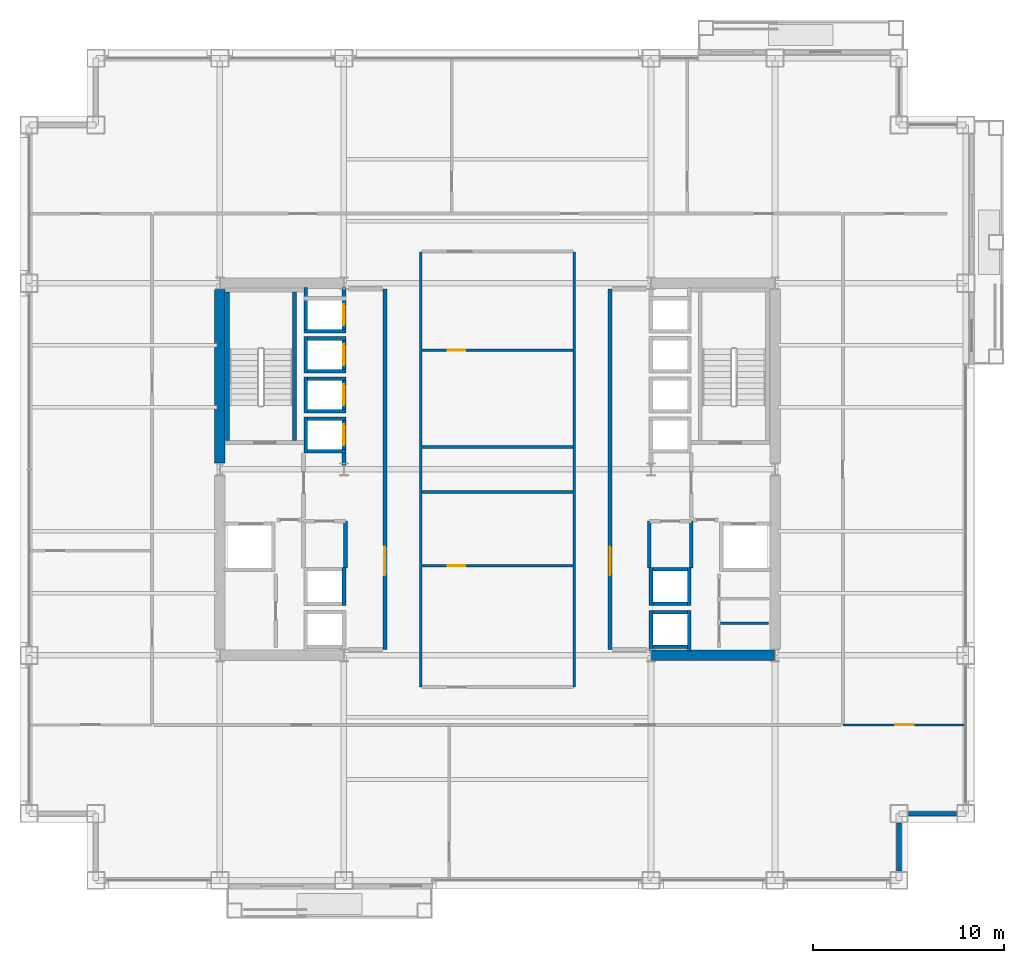
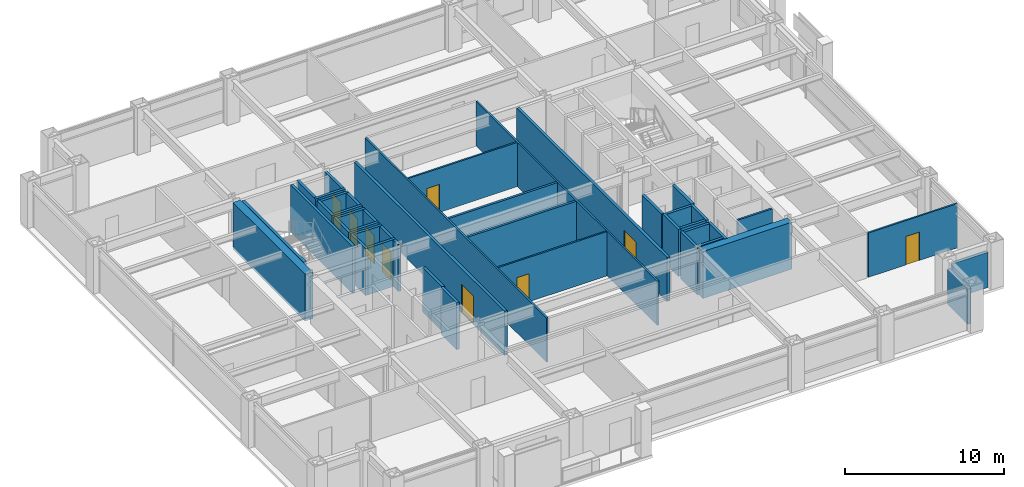
# One storey, part 26 of 31: 43 walls, 9 doors, 9 openings.
"""IFC4 building model written with IfcOpenShell, lengths in metres."""

from ifc_helpers import new_model, si_unit, direction, frame, frame_2d, origin, place, context, subcontext, project, spatial, rectangle, extrude, material, layer, layer_set, type_object, element, fill, save


model = new_model("IFC4")

# Units and contexts
model_context = context("Model", 3, precision=1e-05, world=origin(), true_north=direction((0.0, 1.0)))
body_context = subcontext(model_context, "Body", "Model", "MODEL_VIEW")
ifc_project = project(units=[si_unit("LENGTHUNIT", "METRE"), si_unit("AREAUNIT", "SQUARE_METRE"), si_unit("VOLUMEUNIT", "CUBIC_METRE"), si_unit("PLANEANGLEUNIT", "RADIAN"), si_unit("MASSUNIT", "GRAM", prefix="KILO")], contexts=[model_context])

# Site, building, storey
site_placement = place(None, origin())
site = spatial("IfcSite", under=ifc_project, at=site_placement, CompositionType="ELEMENT")
building_placement = place(site_placement, origin())
building = spatial("IfcBuilding", under=site, at=building_placement, Name="Brelmoor Portico Tower", CompositionType="ELEMENT")
storey_placement = place(building_placement, frame((0.0, 0.0, 38.39990234375)))
storey = spatial("IfcBuildingStorey", under=building, at=storey_placement, Name="L09", CompositionType="ELEMENT", Elevation=38.39990234375)

# Walls
ifc_material_1 = material(Name="Concrete C60", Category="concrete")
ifc_layer_1 = layer(ifc_material_1, 0.550048828125)
ifc_layer_set_1 = layer_set([ifc_layer_1], Name="Concrete C60")
wall_type_1 = type_object("IfcWallType", Name="WL-CORE-550", PredefinedType="SHEAR", material=ifc_layer_set_1)
wall_1_placement = place(storey_placement, frame((-14.550048828125, 0.324951171875, -0.199951171875), z_axis=(0.0, 0.0, 1.0), x_axis=(0.0, 1.0, 0.0)))
element("IfcWall", 1, at=wall_1_placement, inside=storey, type_object=wall_type_1, Name="L09 WC Outer North Shear Wall", PredefinedType="SHEAR", context=body_context, shape_type="SweptSolid", body=[
    extrude(rectangle(XDim=9.10009765625, YDim=0.550048828125, at=frame_2d((4.550048828125, 0.0))), origin(), (0.0, 0.0, 1.0), 3.60009765625),
])
wall_2_placement = place(storey_placement, frame((8.070068359375, -9.75, -0.199951171875), z_axis=(0.0, 0.0, 1.0), x_axis=(1.0, 0.0, 0.0)))
element("IfcWall", 2, at=wall_2_placement, inside=storey, type_object=wall_type_1, Name="L09 EC South Shear Wall", PredefinedType="SHEAR", context=body_context, shape_type="SweptSolid", body=[
    extrude(rectangle(XDim=6.4599609375, YDim=0.550048828125, at=frame_2d((3.22998046875, 0.0))), origin(), (0.0, 0.0, 1.0), 3.60009765625),
])
ifc_material_2 = material(Name="Precast Concrete C40 Insulated Facade Wall", Category="concrete")
ifc_layer_2 = layer(ifc_material_2, 0.25)
ifc_layer_set_2 = layer_set([ifc_layer_2], Name="Precast Concrete C40 Insulated Facade Wall")
wall_type_2 = type_object("IfcWallType", Name="WL-EXT-250", PredefinedType="STANDARD", material=ifc_layer_set_2)
for number, where, z_axis, x_axis, name in (
    (3, (21.534912109375, -18.050048828125, 0.0), (0.0, 0.0, 1.0), (1.0, 0.0, 0.0), "L09 Corner Notch Facade Wall NSEH1"),
    (4, (21.050048828125, -21.06494140625, 0.0), (0.0, 0.0, 1.0), (0.0, 1.0, 0.0), "L09 Corner Notch Facade Wall NSEV1"),
):
    element("IfcWall", number, at=place(storey_placement, frame(where, z_axis=z_axis, x_axis=x_axis)), inside=storey, type_object=wall_type_2, Name=name, PredefinedType="STANDARD", context=body_context, shape_type="SweptSolid", body=[
        extrude(rectangle(XDim=2.530029296875, YDim=0.25, at=frame_2d((1.26513671875, 0.0))), origin(), (0.0, 0.0, 1.0), 2.7001953125),
    ])
ifc_material_3 = material(Name="Lightweight Gypsum Office Partition", Category="gypsum")
ifc_layer_3 = layer(ifc_material_3, 0.1201171875)
ifc_layer_set_3 = layer_set([ifc_layer_3], Name="Lightweight Gypsum Office Partition")
wall_type_3 = type_object("IfcWallType", Name="WL-PART-120", PredefinedType="PARTITIONING", material=ifc_layer_set_3)
for number, where, z_axis, x_axis, name in (
    (5, (-4.02001953125, -11.39990234375, 0.0), (0.0, 0.0, 1.0), (0.0, 1.0, 0.0), "L09 Central Suite West Wall"),
    (6, (4.02001953125, -11.39990234375, 0.0), (0.0, 0.0, 1.0), (0.0, 1.0, 0.0), "L09 Central Suite East Wall"),
):
    element("IfcWall", number, at=place(storey_placement, frame(where, z_axis=z_axis, x_axis=x_axis)), inside=storey, type_object=wall_type_3, Name=name, PredefinedType="PARTITIONING", context=body_context, shape_type="SweptSolid", body=[
        extrude(rectangle(XDim=22.7998046875, YDim=0.1201171875, at=frame_2d((11.39990234375, 0.0))), origin(), (0.0, 0.0, 1.0), 3.400146484375),
    ])

# Wall, opening, door
wall_3_placement = place(storey_placement, frame((-3.949951171875, 6.239990234375, 0.0), z_axis=(0.0, 0.0, 1.0), x_axis=(1.0, 0.0, 0.0)))
wall_3 = element("IfcWall", 7, at=wall_3_placement, inside=storey, type_object=wall_type_3, Name="L09 Central Archive Divider", PredefinedType="PARTITIONING", context=body_context, shape_type="SweptSolid", body=[
    extrude(rectangle(XDim=7.89990234375, YDim=0.1201171875, at=frame_2d((3.949951171875, 0.0))), origin(), (0.0, 0.0, 1.0), 3.400146484375),
])
opening_1_placement = place(wall_3_placement, frame((1.35009765625, 0.0, 0.0)))
opening_1 = element("IfcOpeningElement", 8, at=opening_1_placement, cuts=wall_3, Name="Opening D-IN1", PredefinedType="OPENING", context=body_context, shape_type="SweptSolid", body=[
    extrude(rectangle(XDim=0.89990234375, YDim=2.14990234375, at=frame_2d((0.449951171875, 1.074951171875))), frame((0.0, 0.070068359375, 0.0), z_axis=(0.0, -1.0, 0.0), x_axis=(1.0, 0.0, 0.0)), (0.0, 0.0, 1.0), 0.14013671875),
])
ifc_material_4 = material(Name="Lacquered Timber Suite Door", Category="wood")
door_type_1 = type_object("IfcDoorType", Name="DR-INT-900", OperationType="NOTDEFINED", PredefinedType="DOOR", material=ifc_material_4)
door_1_placement = place(opening_1_placement, origin())
door_1 = element("IfcDoor", 9, at=door_1_placement, inside=storey, type_object=door_type_1, Name="D-0392 L09 Central File Room Door", OperationType="SINGLE_SWING_RIGHT", OverallHeight=2.14990234375, OverallWidth=0.89990234375, PredefinedType="DOOR", context=body_context, shape_type="SweptSolid", body=[
    extrude(rectangle(XDim=0.89990234375, YDim=2.14990234375, at=frame_2d((0.449951171875, 1.074951171875))), frame((0.0, 0.02490234375, 0.0), z_axis=(0.0, -1.0, 0.0), x_axis=(1.0, 0.0, 0.0)), (0.0, 0.0, 1.0), 0.050048828125),
])
fill(opening_1, door_1)

wall_4_placement = place(storey_placement, frame((-3.949951171875, -5.050048828125, 0.0), z_axis=(0.0, 0.0, 1.0), x_axis=(1.0, 0.0, 0.0)))
wall_4 = element("IfcWall", 10, at=wall_4_placement, inside=storey, type_object=wall_type_3, Name="L09 Central Print Divider", PredefinedType="PARTITIONING", context=body_context, shape_type="SweptSolid", body=[
    extrude(rectangle(XDim=7.89990234375, YDim=0.1201171875, at=frame_2d((3.949951171875, 0.0))), origin(), (0.0, 0.0, 1.0), 3.400146484375),
])
opening_2_placement = place(wall_4_placement, frame((1.35009765625, 0.0, 0.0)))
opening_2 = element("IfcOpeningElement", 11, at=opening_2_placement, cuts=wall_4, Name="Opening D-IN1", PredefinedType="OPENING", context=body_context, shape_type="SweptSolid", body=[
    extrude(rectangle(XDim=0.89990234375, YDim=2.14990234375, at=frame_2d((0.449951171875, 1.074951171875))), frame((0.0, 0.070068359375, 0.0), z_axis=(0.0, -1.0, 0.0), x_axis=(1.0, 0.0, 0.0)), (0.0, 0.0, 1.0), 0.14013671875),
])
door_2_placement = place(opening_2_placement, origin())
door_2 = element("IfcDoor", 12, at=door_2_placement, inside=storey, type_object=door_type_1, Name="D-0394 L09 Central Print Studio Door", OperationType="SINGLE_SWING_LEFT", OverallHeight=2.14990234375, OverallWidth=0.89990234375, PredefinedType="DOOR", context=body_context, shape_type="SweptSolid", body=[
    extrude(rectangle(XDim=0.89990234375, YDim=2.14990234375, at=frame_2d((0.449951171875, 1.074951171875))), frame((0.0, 0.02490234375, 0.0), z_axis=(0.0, -1.0, 0.0), x_axis=(1.0, 0.0, 0.0)), (0.0, 0.0, 1.0), 0.050048828125),
])
fill(opening_2, door_2)

wall_5_placement = place(storey_placement, frame((18.10009765625, -13.39990234375, 0.0), z_axis=(0.0, 0.0, 1.0), x_axis=(1.0, 0.0, 0.0)))
wall_5 = element("IfcWall", 13, at=wall_5_placement, inside=storey, type_object=wall_type_3, Name="L09 South Outer Closure ER", PredefinedType="PARTITIONING", context=body_context, shape_type="SweptSolid", body=[
    extrude(rectangle(XDim=6.4599609375, YDim=0.1201171875, at=frame_2d((3.22998046875, 0.0))), origin(), (0.0, 0.0, 1.0), 3.400146484375),
])
opening_3_placement = place(wall_5_placement, frame((2.75, 0.0, 0.0)))
opening_3 = element("IfcOpeningElement", 14, at=opening_3_placement, cuts=wall_5, Name="Opening D-IN2", PredefinedType="OPENING", context=body_context, shape_type="SweptSolid", body=[
    extrude(rectangle(XDim=0.9599609375, YDim=2.179931640625, at=frame_2d((0.47998046875, 1.08984375))), frame((0.0, 0.070068359375, 0.0), z_axis=(0.0, -1.0, 0.0), x_axis=(1.0, 0.0, 0.0)), (0.0, 0.0, 1.0), 0.14013671875),
])
door_type_2 = type_object("IfcDoorType", Name="DR-INT-950", OperationType="NOTDEFINED", PredefinedType="DOOR", material=ifc_material_4)
door_3_placement = place(opening_3_placement, origin())
door_3 = element("IfcDoor", 15, at=door_3_placement, inside=storey, type_object=door_type_2, Name="D-0419 L09 ER South Corner Suite Door", OperationType="SINGLE_SWING_RIGHT", OverallHeight=2.179931640625, OverallWidth=0.9599609375, PredefinedType="DOOR", context=body_context, shape_type="SweptSolid", body=[
    extrude(rectangle(XDim=0.9599609375, YDim=2.179931640625, at=frame_2d((0.47998046875, 1.08984375))), frame((0.0, 0.02490234375, 0.0), z_axis=(0.0, -1.0, 0.0), x_axis=(1.0, 0.0, 0.0)), (0.0, 0.0, 1.0), 0.050048828125),
])
fill(opening_3, door_3)

# Walls
ifc_material_5 = material(Name="Insulated Stud Suite Partition", Category="gypsum")
ifc_layer_4 = layer(ifc_material_5, 0.139892578125)
ifc_layer_set_4 = layer_set([ifc_layer_4], Name="Insulated Stud Suite Partition")
wall_type_4 = type_object("IfcWallType", Name="WL-PART-140", PredefinedType="PARTITIONING", material=ifc_layer_set_4)
wall_6_placement = place(storey_placement, frame((11.699951171875, -8.066650390625, 0.0), z_axis=(0.0, 0.0, 1.0), x_axis=(1.0, 0.0, 0.0)))
element("IfcWall", 16, at=wall_6_placement, inside=storey, type_object=wall_type_4, Name="L09 E Core WC Divider 1", PredefinedType="PARTITIONING", context=body_context, shape_type="SweptSolid", body=[
    extrude(rectangle(XDim=2.5, YDim=0.139892578125, at=frame_2d((1.25, 0.0))), origin(), (0.0, 0.0, 1.0), 3.400146484375),
])
ifc_material_6 = material(Name="Twin-Frame Acoustic Partition", Category="gypsum")
ifc_layer_5 = layer(ifc_material_6, 0.159912109375)
ifc_layer_set_5 = layer_set([ifc_layer_5], Name="Twin-Frame Acoustic Partition")
wall_type_5 = type_object("IfcWallType", Name="WL-PART-160", PredefinedType="PARTITIONING", material=ifc_layer_set_5)
for number, where, z_axis, x_axis, name in (
    (17, (-3.949951171875, 1.179931640625, 0.0), (0.0, 0.0, 1.0), (1.0, 0.0, 0.0), "L09 Central Meeting South Wall"),
    (18, (-3.949951171875, -1.179931640625, 0.0), (0.0, 0.0, 1.0), (1.0, 0.0, 0.0), "L09 Central Pantry North Wall"),
):
    element("IfcWall", number, at=place(storey_placement, frame(where, z_axis=z_axis, x_axis=x_axis)), inside=storey, type_object=wall_type_5, Name=name, PredefinedType="PARTITIONING", context=body_context, shape_type="SweptSolid", body=[
        extrude(rectangle(XDim=7.89990234375, YDim=0.159912109375, at=frame_2d((3.949951171875, 0.0))), origin(), (0.0, 0.0, 1.0), 3.400146484375),
    ])

# Wall, opening, door
ifc_material_7 = material(Name="Double-Stud Gypsum Fire Partition", Category="gypsum")
ifc_layer_6 = layer(ifc_material_7, 0.199951171875)
ifc_layer_set_6 = layer_set([ifc_layer_6], Name="Double-Stud Gypsum Fire Partition")
wall_type_6 = type_object("IfcWallType", Name="WL-PART-200", PredefinedType="PARTITIONING", material=ifc_layer_set_6)
wall_7_placement = place(storey_placement, frame((-5.89990234375, -9.449951171875, 0.0), z_axis=(0.0, 0.0, 1.0), x_axis=(0.0, 1.0, 0.0)))
wall_7 = element("IfcWall", 19, at=wall_7_placement, inside=storey, type_object=wall_type_6, Name="L09 W Core Lobby Compartment Wall", PredefinedType="PARTITIONING", context=body_context, shape_type="SweptSolid", body=[
    extrude(rectangle(XDim=18.89990234375, YDim=0.199951171875, at=frame_2d((9.449951171875, 0.0))), origin(), (0.0, 0.0, 1.0), 3.400146484375),
])
opening_4_placement = place(wall_7_placement, frame((3.89990234375, 0.0, 0.0)))
opening_4 = element("IfcOpeningElement", 20, at=opening_4_placement, cuts=wall_7, Name="Opening D-LB1", PredefinedType="OPENING", context=body_context, shape_type="SweptSolid", body=[
    extrude(rectangle(XDim=1.5, YDim=2.199951171875, at=frame_2d((0.75, 1.10009765625))), frame((0.0, 0.10986328125, 0.0), z_axis=(0.0, -1.0, 0.0), x_axis=(1.0, 0.0, 0.0)), (0.0, 0.0, 1.0), 0.219970703125),
])
ifc_material_8 = material(Name="Double-Leaf Glazed Steel Fire Door", Category="steel")
door_type_3 = type_object("IfcDoorType", Name="DR-LOBBY-1500", OperationType="NOTDEFINED", PredefinedType="DOOR", material=ifc_material_8)
door_4_placement = place(opening_4_placement, origin())
door_4 = element("IfcDoor", 21, at=door_4_placement, inside=storey, type_object=door_type_3, Name="D-0406 L09 W Lift Lobby Main Door", OperationType="DOUBLE_DOOR_SINGLE_SWING", OverallHeight=2.199951171875, OverallWidth=1.5, PredefinedType="DOOR", context=body_context, shape_type="SweptSolid", body=[
    extrude(rectangle(XDim=1.5, YDim=2.199951171875, at=frame_2d((0.75, 1.10009765625))), frame((0.0, 0.02490234375, 0.0), z_axis=(0.0, -1.0, 0.0), x_axis=(1.0, 0.0, 0.0)), (0.0, 0.0, 1.0), 0.050048828125),
])
fill(opening_4, door_4)

# Wall
wall_8_placement = place(storey_placement, frame((-7.9599609375, -5.159912109375, 0.0), z_axis=(0.0, 0.0, 1.0), x_axis=(0.0, 1.0, 0.0)))
element("IfcWall", 22, at=wall_8_placement, inside=storey, type_object=wall_type_6, Name="L09 W Electrical Switchgear Closet Inner Wall", PredefinedType="PARTITIONING", context=body_context, shape_type="SweptSolid", body=[
    extrude(rectangle(XDim=2.43994140625, YDim=0.199951171875, at=frame_2d((1.219970703125, 0.0))), origin(), (0.0, 0.0, 1.0), 3.400146484375),
])

# Wall, opening, door
wall_9_placement = place(storey_placement, frame((5.89990234375, -9.449951171875, 0.0), z_axis=(0.0, 0.0, 1.0), x_axis=(0.0, 1.0, 0.0)))
wall_9 = element("IfcWall", 23, at=wall_9_placement, inside=storey, type_object=wall_type_6, Name="L09 E Core Lobby Compartment Wall", PredefinedType="PARTITIONING", context=body_context, shape_type="SweptSolid", body=[
    extrude(rectangle(XDim=18.89990234375, YDim=0.199951171875, at=frame_2d((9.449951171875, 0.0))), origin(), (0.0, 0.0, 1.0), 3.400146484375),
])
opening_5_placement = place(wall_9_placement, frame((3.89990234375, 0.0, 0.0)))
opening_5 = element("IfcOpeningElement", 24, at=opening_5_placement, cuts=wall_9, Name="Opening D-LB1", PredefinedType="OPENING", context=body_context, shape_type="SweptSolid", body=[
    extrude(rectangle(XDim=1.5, YDim=2.199951171875, at=frame_2d((0.75, 1.10009765625))), frame((0.0, 0.10986328125, 0.0), z_axis=(0.0, -1.0, 0.0), x_axis=(1.0, 0.0, 0.0)), (0.0, 0.0, 1.0), 0.219970703125),
])
door_5_placement = place(opening_5_placement, origin())
door_5 = element("IfcDoor", 25, at=door_5_placement, inside=storey, type_object=door_type_3, Name="D-0405 L09 E Lift Lobby Main Door", OperationType="DOUBLE_DOOR_SINGLE_SWING", OverallHeight=2.199951171875, OverallWidth=1.5, PredefinedType="DOOR", context=body_context, shape_type="SweptSolid", body=[
    extrude(rectangle(XDim=1.5, YDim=2.199951171875, at=frame_2d((0.75, 1.10009765625))), frame((0.0, 0.02490234375, 0.0), z_axis=(0.0, -1.0, 0.0), x_axis=(1.0, 0.0, 0.0)), (0.0, 0.0, 1.0), 0.050048828125),
])
fill(opening_5, door_5)

# Walls
for number, where, z_axis, x_axis, name in (
    (26, (7.9599609375, -5.159912109375, 0.0), (0.0, 0.0, 1.0), (0.0, 1.0, 0.0), "L09 E Electrical Switchgear Closet Inner Wall"),
    (27, (10.159912109375, -5.159912109375, 0.0), (0.0, 0.0, 1.0), (0.0, 1.0, 0.0), "L09 E Electrical Switchgear Closet Outer Wall"),
):
    element("IfcWall", number, at=place(storey_placement, frame(where, z_axis=z_axis, x_axis=x_axis)), inside=storey, type_object=wall_type_6, Name=name, PredefinedType="PARTITIONING", context=body_context, shape_type="SweptSolid", body=[
        extrude(rectangle(XDim=2.43994140625, YDim=0.199951171875, at=frame_2d((1.219970703125, 0.0))), origin(), (0.0, 0.0, 1.0), 3.400146484375),
    ])

# Wall, opening, door
ifc_material_9 = material(Name="Precast Concrete C40", Category="concrete")
ifc_layer_7 = layer(ifc_material_9, 0.18994140625)
ifc_layer_set_7 = layer_set([ifc_layer_7], Name="Precast Concrete C40")
wall_type_7 = type_object("IfcWallType", Name="WL-SHAFT-180", PredefinedType="SOLIDWALL", material=ifc_layer_set_7)
wall_10_placement = place(storey_placement, frame((-8.044921875, 0.2099609375, -0.199951171875), z_axis=(0.0, 0.0, 1.0), x_axis=(0.0, 1.0, 0.0)))
wall_10 = element("IfcWall", 28, at=wall_10_placement, inside=storey, type_object=wall_type_7, Name="L09 Lift PL1 Hoistway Front Wall", PredefinedType="SOLIDWALL", context=body_context, shape_type="SweptSolid", body=[
    extrude(rectangle(XDim=2.5400390625, YDim=0.18994140625, at=frame_2d((1.27001953125, 0.0))), origin(), (0.0, 0.0, 1.0), 3.60009765625),
])
opening_6_placement = place(wall_10_placement, frame((1.0400390625, 0.0, 0.199951171875)))
opening_6 = element("IfcOpeningElement", 29, at=opening_6_placement, cuts=wall_10, Name="Opening LD-01", PredefinedType="OPENING", context=body_context, shape_type="SweptSolid", body=[
    extrude(rectangle(XDim=1.10009765625, YDim=2.199951171875, at=frame_2d((0.550048828125, 1.10009765625))), frame((0.0, 0.10498046875, 0.0), z_axis=(0.0, -1.0, 0.0), x_axis=(1.0, 0.0, 0.0)), (0.0, 0.0, 1.0), 0.2099609375),
])
ifc_material_10 = material(Name="Brushed Stainless Steel Sliding Lift Door", Category="steel")
door_type_4 = type_object("IfcDoorType", Name="DR-LIFT-1100", OperationType="NOTDEFINED", PredefinedType="DOOR", material=ifc_material_10)
door_6_placement = place(opening_6_placement, origin())
door_6 = element("IfcDoor", 30, at=door_6_placement, inside=storey, type_object=door_type_4, Name="D-0430 L09 Lift PL1 Sliding Landing Door", OperationType="SLIDING_TO_LEFT", OverallHeight=2.199951171875, OverallWidth=1.10009765625, PredefinedType="DOOR", context=body_context, shape_type="SweptSolid", body=[
    extrude(rectangle(XDim=1.10009765625, YDim=2.199951171875, at=frame_2d((0.550048828125, 1.10009765625))), frame((0.0, 0.02490234375, 0.0), z_axis=(0.0, -1.0, 0.0), x_axis=(1.0, 0.0, 0.0)), (0.0, 0.0, 1.0), 0.050048828125),
])
fill(opening_6, door_6)

# Walls
wall_11_placement = place(storey_placement, frame((-10.054931640625, 0.85009765625, -0.199951171875), z_axis=(0.0, 0.0, 1.0), x_axis=(0.0, 1.0, 0.0)))
element("IfcWall", 31, at=wall_11_placement, inside=storey, type_object=wall_type_7, Name="L09 Lift PL1 Hoistway Back Wall", PredefinedType="SOLIDWALL", context=body_context, shape_type="SweptSolid", body=[
    extrude(rectangle(XDim=1.89990234375, YDim=0.18994140625, at=frame_2d((0.949951171875, 0.0))), origin(), (0.0, 0.0, 1.0), 3.60009765625),
])
for number, where, z_axis, x_axis, name in (
    (32, (-10.14990234375, 2.655029296875, -0.199951171875), (0.0, 0.0, 1.0), (1.0, 0.0, 0.0), "L09 Lift PL1 Hoistway North Wall"),
    (33, (-10.14990234375, 0.945068359375, -0.199951171875), (0.0, 0.0, 1.0), (1.0, 0.0, 0.0), "L09 Lift PL1 Hoistway South Wall"),
):
    element("IfcWall", number, at=place(storey_placement, frame(where, z_axis=z_axis, x_axis=x_axis)), inside=storey, type_object=wall_type_7, Name=name, PredefinedType="SOLIDWALL", context=body_context, shape_type="SweptSolid", body=[
        extrude(rectangle(XDim=2.199951171875, YDim=0.18994140625, at=frame_2d((1.10009765625, 0.0))), origin(), (0.0, 0.0, 1.0), 3.60009765625),
    ])

# Wall, opening, door
wall_12_placement = place(storey_placement, frame((-8.044921875, 2.949951171875, -0.199951171875), z_axis=(0.0, 0.0, 1.0), x_axis=(0.0, 1.0, 0.0)))
wall_12 = element("IfcWall", 34, at=wall_12_placement, inside=storey, type_object=wall_type_7, Name="L09 Lift PL2 Hoistway Front Wall", PredefinedType="SOLIDWALL", context=body_context, shape_type="SweptSolid", body=[
    extrude(rectangle(XDim=1.900146484375, YDim=0.18994140625, at=frame_2d((0.9501953125, 0.0))), origin(), (0.0, 0.0, 1.0), 3.60009765625),
])
opening_7_placement = place(wall_12_placement, frame((0.39990234375, 0.0, 0.199951171875)))
opening_7 = element("IfcOpeningElement", 35, at=opening_7_placement, cuts=wall_12, Name="Opening LD-01", PredefinedType="OPENING", context=body_context, shape_type="SweptSolid", body=[
    extrude(rectangle(XDim=1.10009765625, YDim=2.199951171875, at=frame_2d((0.550048828125, 1.10009765625))), frame((0.0, 0.10498046875, 0.0), z_axis=(0.0, -1.0, 0.0), x_axis=(1.0, 0.0, 0.0)), (0.0, 0.0, 1.0), 0.2099609375),
])
door_7_placement = place(opening_7_placement, origin())
door_7 = element("IfcDoor", 36, at=door_7_placement, inside=storey, type_object=door_type_4, Name="D-0431 L09 Lift PL2 Sliding Landing Door", OperationType="SLIDING_TO_LEFT", OverallHeight=2.199951171875, OverallWidth=1.10009765625, PredefinedType="DOOR", context=body_context, shape_type="SweptSolid", body=[
    extrude(rectangle(XDim=1.10009765625, YDim=2.199951171875, at=frame_2d((0.550048828125, 1.10009765625))), frame((0.0, 0.02490234375, 0.0), z_axis=(0.0, -1.0, 0.0), x_axis=(1.0, 0.0, 0.0)), (0.0, 0.0, 1.0), 0.050048828125),
])
fill(opening_7, door_7)

# Walls
wall_13_placement = place(storey_placement, frame((-10.054931640625, 2.949951171875, -0.199951171875), z_axis=(0.0, 0.0, 1.0), x_axis=(0.0, 1.0, 0.0)))
element("IfcWall", 37, at=wall_13_placement, inside=storey, type_object=wall_type_7, Name="L09 Lift PL2 Hoistway Back Wall", PredefinedType="SOLIDWALL", context=body_context, shape_type="SweptSolid", body=[
    extrude(rectangle(XDim=1.900146484375, YDim=0.18994140625, at=frame_2d((0.9501953125, 0.0))), origin(), (0.0, 0.0, 1.0), 3.60009765625),
])
for number, where, z_axis, x_axis, name in (
    (38, (-10.14990234375, 4.7548828125, -0.199951171875), (0.0, 0.0, 1.0), (1.0, 0.0, 0.0), "L09 Lift PL2 Hoistway North Wall"),
    (39, (-10.14990234375, 3.044921875, -0.199951171875), (0.0, 0.0, 1.0), (1.0, 0.0, 0.0), "L09 Lift PL2 Hoistway South Wall"),
):
    element("IfcWall", number, at=place(storey_placement, frame(where, z_axis=z_axis, x_axis=x_axis)), inside=storey, type_object=wall_type_7, Name=name, PredefinedType="SOLIDWALL", context=body_context, shape_type="SweptSolid", body=[
        extrude(rectangle(XDim=2.199951171875, YDim=0.18994140625, at=frame_2d((1.10009765625, 0.0))), origin(), (0.0, 0.0, 1.0), 3.60009765625),
    ])

# Wall, opening, door
wall_14_placement = place(storey_placement, frame((-8.044921875, 5.050048828125, -0.199951171875), z_axis=(0.0, 0.0, 1.0), x_axis=(0.0, 1.0, 0.0)))
wall_14 = element("IfcWall", 40, at=wall_14_placement, inside=storey, type_object=wall_type_7, Name="L09 Lift PL3 Hoistway Front Wall", PredefinedType="SOLIDWALL", context=body_context, shape_type="SweptSolid", body=[
    extrude(rectangle(XDim=1.89990234375, YDim=0.18994140625, at=frame_2d((0.949951171875, 0.0))), origin(), (0.0, 0.0, 1.0), 3.60009765625),
])
opening_8_placement = place(wall_14_placement, frame((0.39990234375, 0.0, 0.199951171875)))
opening_8 = element("IfcOpeningElement", 41, at=opening_8_placement, cuts=wall_14, Name="Opening LD-01", PredefinedType="OPENING", context=body_context, shape_type="SweptSolid", body=[
    extrude(rectangle(XDim=1.10009765625, YDim=2.199951171875, at=frame_2d((0.550048828125, 1.10009765625))), frame((0.0, 0.10498046875, 0.0), z_axis=(0.0, -1.0, 0.0), x_axis=(1.0, 0.0, 0.0)), (0.0, 0.0, 1.0), 0.2099609375),
])
door_8_placement = place(opening_8_placement, origin())
door_8 = element("IfcDoor", 42, at=door_8_placement, inside=storey, type_object=door_type_4, Name="D-0432 L09 Lift PL3 Sliding Landing Door", OperationType="SLIDING_TO_LEFT", OverallHeight=2.199951171875, OverallWidth=1.10009765625, PredefinedType="DOOR", context=body_context, shape_type="SweptSolid", body=[
    extrude(rectangle(XDim=1.10009765625, YDim=2.199951171875, at=frame_2d((0.550048828125, 1.10009765625))), frame((0.0, 0.02490234375, 0.0), z_axis=(0.0, -1.0, 0.0), x_axis=(1.0, 0.0, 0.0)), (0.0, 0.0, 1.0), 0.050048828125),
])
fill(opening_8, door_8)

# Walls
wall_15_placement = place(storey_placement, frame((-10.054931640625, 5.050048828125, -0.199951171875), z_axis=(0.0, 0.0, 1.0), x_axis=(0.0, 1.0, 0.0)))
element("IfcWall", 43, at=wall_15_placement, inside=storey, type_object=wall_type_7, Name="L09 Lift PL3 Hoistway Back Wall", PredefinedType="SOLIDWALL", context=body_context, shape_type="SweptSolid", body=[
    extrude(rectangle(XDim=1.89990234375, YDim=0.18994140625, at=frame_2d((0.949951171875, 0.0))), origin(), (0.0, 0.0, 1.0), 3.60009765625),
])
for number, where, z_axis, x_axis, name in (
    (44, (-10.14990234375, 6.85498046875, -0.199951171875), (0.0, 0.0, 1.0), (1.0, 0.0, 0.0), "L09 Lift PL3 Hoistway North Wall"),
    (45, (-10.14990234375, 5.14501953125, -0.199951171875), (0.0, 0.0, 1.0), (1.0, 0.0, 0.0), "L09 Lift PL3 Hoistway South Wall"),
):
    element("IfcWall", number, at=place(storey_placement, frame(where, z_axis=z_axis, x_axis=x_axis)), inside=storey, type_object=wall_type_7, Name=name, PredefinedType="SOLIDWALL", context=body_context, shape_type="SweptSolid", body=[
        extrude(rectangle(XDim=2.199951171875, YDim=0.18994140625, at=frame_2d((1.10009765625, 0.0))), origin(), (0.0, 0.0, 1.0), 3.60009765625),
    ])

# Wall, opening, door
wall_16_placement = place(storey_placement, frame((-8.044921875, 7.14990234375, -0.199951171875), z_axis=(0.0, 0.0, 1.0), x_axis=(0.0, 1.0, 0.0)))
wall_16 = element("IfcWall", 46, at=wall_16_placement, inside=storey, type_object=wall_type_7, Name="L09 Lift PL4 Hoistway Front Wall", PredefinedType="SOLIDWALL", context=body_context, shape_type="SweptSolid", body=[
    extrude(rectangle(XDim=2.3701171875, YDim=0.18994140625, at=frame_2d((1.18505859375, 0.0))), origin(), (0.0, 0.0, 1.0), 3.60009765625),
])
opening_9_placement = place(wall_16_placement, frame((0.39990234375, 0.0, 0.199951171875)))
opening_9 = element("IfcOpeningElement", 47, at=opening_9_placement, cuts=wall_16, Name="Opening LD-01", PredefinedType="OPENING", context=body_context, shape_type="SweptSolid", body=[
    extrude(rectangle(XDim=1.10009765625, YDim=2.199951171875, at=frame_2d((0.550048828125, 1.10009765625))), frame((0.0, 0.10498046875, 0.0), z_axis=(0.0, -1.0, 0.0), x_axis=(1.0, 0.0, 0.0)), (0.0, 0.0, 1.0), 0.2099609375),
])
door_9_placement = place(opening_9_placement, origin())
door_9 = element("IfcDoor", 48, at=door_9_placement, inside=storey, type_object=door_type_4, Name="D-0433 L09 Lift PL4 Sliding Landing Door", OperationType="SLIDING_TO_LEFT", OverallHeight=2.199951171875, OverallWidth=1.10009765625, PredefinedType="DOOR", context=body_context, shape_type="SweptSolid", body=[
    extrude(rectangle(XDim=1.10009765625, YDim=2.199951171875, at=frame_2d((0.550048828125, 1.10009765625))), frame((0.0, 0.02490234375, 0.0), z_axis=(0.0, -1.0, 0.0), x_axis=(1.0, 0.0, 0.0)), (0.0, 0.0, 1.0), 0.050048828125),
])
fill(opening_9, door_9)

# Walls
wall_17_placement = place(storey_placement, frame((-10.054931640625, 7.14990234375, -0.199951171875), z_axis=(0.0, 0.0, 1.0), x_axis=(0.0, 1.0, 0.0)))
element("IfcWall", 49, at=wall_17_placement, inside=storey, type_object=wall_type_7, Name="L09 Lift PL4 Hoistway Back Wall", PredefinedType="SOLIDWALL", context=body_context, shape_type="SweptSolid", body=[
    extrude(rectangle(XDim=2.3701171875, YDim=0.18994140625, at=frame_2d((1.18505859375, 0.0))), origin(), (0.0, 0.0, 1.0), 3.60009765625),
])
wall_18_placement = place(storey_placement, frame((-10.14990234375, 7.2451171875, -0.199951171875), z_axis=(0.0, 0.0, 1.0), x_axis=(1.0, 0.0, 0.0)))
element("IfcWall", 50, at=wall_18_placement, inside=storey, type_object=wall_type_7, Name="L09 Lift PL4 Hoistway South Wall", PredefinedType="SOLIDWALL", context=body_context, shape_type="SweptSolid", body=[
    extrude(rectangle(XDim=2.199951171875, YDim=0.18994140625, at=frame_2d((1.10009765625, 0.0))), origin(), (0.0, 0.0, 1.0), 3.60009765625),
])
wall_19_placement = place(storey_placement, frame((-8.044921875, -7.14990234375, -0.199951171875), z_axis=(0.0, 0.0, 1.0), x_axis=(0.0, 1.0, 0.0)))
element("IfcWall", 51, at=wall_19_placement, inside=storey, type_object=wall_type_7, Name="L09 Lift PH2 Hoistway Front Wall", PredefinedType="SOLIDWALL", context=body_context, shape_type="SweptSolid", body=[
    extrude(rectangle(XDim=2.0, YDim=0.18994140625, at=frame_2d((1.0, 0.0))), origin(), (0.0, 0.0, 1.0), 3.60009765625),
])
for number, where, z_axis, x_axis, name in (
    (52, (8.044921875, -9.52001953125, -0.199951171875), (0.0, 0.0, 1.0), (0.0, 1.0, 0.0), "L09 Lift PH3 Hoistway Front Wall"),
    (53, (10.054931640625, -9.52001953125, -0.199951171875), (0.0, 0.0, 1.0), (0.0, 1.0, 0.0), "L09 Lift PH3 Hoistway Back Wall"),
):
    element("IfcWall", number, at=place(storey_placement, frame(where, z_axis=z_axis, x_axis=x_axis)), inside=storey, type_object=wall_type_7, Name=name, PredefinedType="SOLIDWALL", context=body_context, shape_type="SweptSolid", body=[
        extrude(rectangle(XDim=2.1201171875, YDim=0.18994140625, at=frame_2d((1.06005859375, 0.0))), origin(), (0.0, 0.0, 1.0), 3.60009765625),
    ])
for number, where, z_axis, x_axis, name in (
    (54, (7.949951171875, -7.4951171875, -0.199951171875), (0.0, 0.0, 1.0), (1.0, 0.0, 0.0), "L09 Lift PH3 Hoistway North Wall"),
    (55, (7.949951171875, -9.304931640625, -0.199951171875), (0.0, 0.0, 1.0), (1.0, 0.0, 0.0), "L09 Lift PH3 Hoistway South Wall"),
):
    element("IfcWall", number, at=place(storey_placement, frame(where, z_axis=z_axis, x_axis=x_axis)), inside=storey, type_object=wall_type_7, Name=name, PredefinedType="SOLIDWALL", context=body_context, shape_type="SweptSolid", body=[
        extrude(rectangle(XDim=2.199951171875, YDim=0.18994140625, at=frame_2d((1.10009765625, 0.0))), origin(), (0.0, 0.0, 1.0), 3.60009765625),
    ])
for number, where, z_axis, x_axis, name in (
    (56, (8.044921875, -7.14990234375, -0.199951171875), (0.0, 0.0, 1.0), (0.0, 1.0, 0.0), "L09 Lift PH4 Hoistway Front Wall"),
    (57, (10.054931640625, -7.14990234375, -0.199951171875), (0.0, 0.0, 1.0), (0.0, 1.0, 0.0), "L09 Lift PH4 Hoistway Back Wall"),
):
    element("IfcWall", number, at=place(storey_placement, frame(where, z_axis=z_axis, x_axis=x_axis)), inside=storey, type_object=wall_type_7, Name=name, PredefinedType="SOLIDWALL", context=body_context, shape_type="SweptSolid", body=[
        extrude(rectangle(XDim=2.0, YDim=0.18994140625, at=frame_2d((1.0, 0.0))), origin(), (0.0, 0.0, 1.0), 3.60009765625),
    ])
for number, where, z_axis, x_axis, name in (
    (58, (7.949951171875, -5.2451171875, -0.199951171875), (0.0, 0.0, 1.0), (1.0, 0.0, 0.0), "L09 Lift PH4 Hoistway North Wall"),
    (59, (7.949951171875, -7.054931640625, -0.199951171875), (0.0, 0.0, 1.0), (1.0, 0.0, 0.0), "L09 Lift PH4 Hoistway South Wall"),
):
    element("IfcWall", number, at=place(storey_placement, frame(where, z_axis=z_axis, x_axis=x_axis)), inside=storey, type_object=wall_type_7, Name=name, PredefinedType="SOLIDWALL", context=body_context, shape_type="SweptSolid", body=[
        extrude(rectangle(XDim=2.199951171875, YDim=0.18994140625, at=frame_2d((1.10009765625, 0.0))), origin(), (0.0, 0.0, 1.0), 3.60009765625),
    ])
ifc_material_11 = material(Name="Concrete C40", Category="concrete")
ifc_layer_8 = layer(ifc_material_11, 0.199951171875)
ifc_layer_set_8 = layer_set([ifc_layer_8], Name="Concrete C40")
wall_type_8 = type_object("IfcWallType", Name="WL-SHAFT-RC200", PredefinedType="SOLIDWALL", material=ifc_layer_set_8)
for number, where, z_axis, x_axis, name in (
    (60, (-14.14990234375, 1.5, -0.199951171875), (0.0, 0.0, 1.0), (0.0, 1.0, 0.0), "L09 ST-W Structural Stair Wall Outer"),
    (61, (-10.6298828125, 1.5, -0.199951171875), (0.0, 0.0, 1.0), (0.0, 1.0, 0.0), "L09 ST-W Structural Stair Wall Inner"),
):
    element("IfcWall", number, at=place(storey_placement, frame(where, z_axis=z_axis, x_axis=x_axis)), inside=storey, type_object=wall_type_8, Name=name, PredefinedType="SOLIDWALL", context=body_context, shape_type="SweptSolid", body=[
        extrude(rectangle(XDim=7.800048828125, YDim=0.199951171875, at=frame_2d((3.89990234375, 0.0))), origin(), (0.0, 0.0, 1.0), 3.60009765625),
    ])

save(model, "model.ifc")
